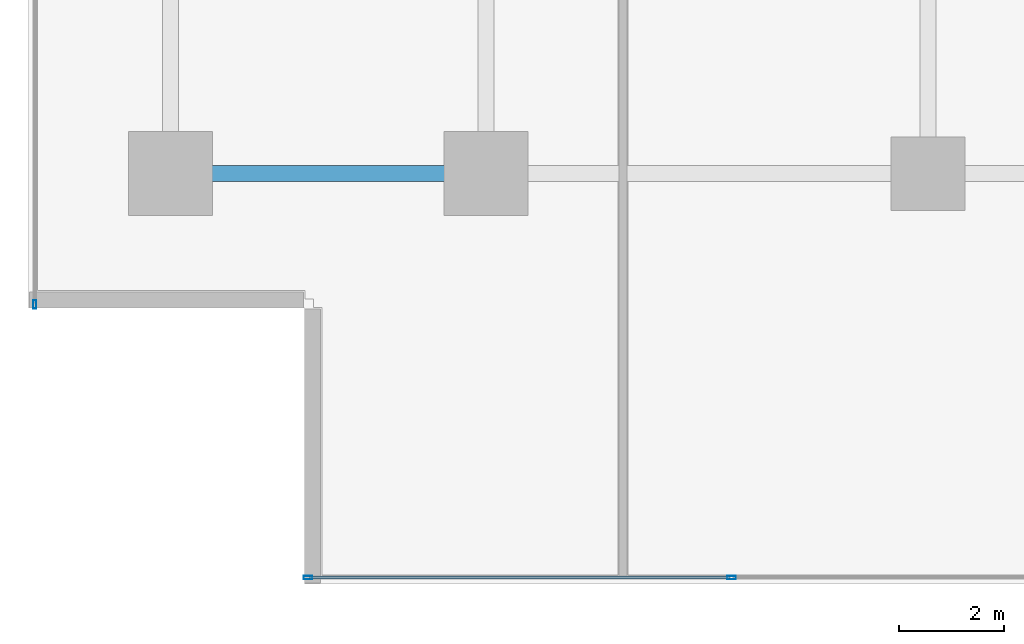
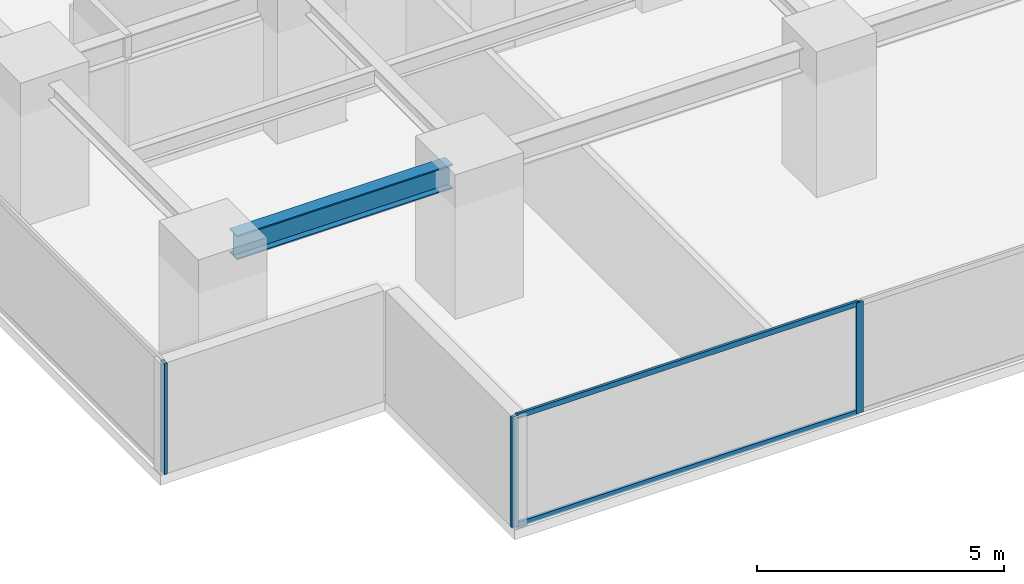
# One storey, part 2 of 37: 5 members, 1 beam, 2 elements without a shape of their own.
"""IFC4 building model written with IfcOpenShell, lengths in metres."""

from ifc_helpers import new_model, si_unit, direction, frame, origin, origin_2d, place, context, subcontext, project, spatial, hollow_rectangle, i_section, extrude, source, transform, mapped, material, layer, layer_set, material_profile, profile_set, type_object, element, aggregate, save


model = new_model("IFC4")

# Units and contexts
model_context = context("Model", 3, precision=1e-05, world=origin(), true_north=direction((0.0, 1.0)))
body_context = subcontext(model_context, "Body", "Model", "MODEL_VIEW")
ifc_project = project(units=[si_unit("LENGTHUNIT", "METRE"), si_unit("AREAUNIT", "SQUARE_METRE"), si_unit("VOLUMEUNIT", "CUBIC_METRE"), si_unit("PLANEANGLEUNIT", "RADIAN"), si_unit("MASSUNIT", "GRAM", prefix="KILO")], contexts=[model_context])

# Site, building, storey
site_placement = place(None, origin())
site = spatial("IfcSite", under=ifc_project, at=site_placement, CompositionType="ELEMENT")
building_placement = place(site_placement, origin())
building = spatial("IfcBuilding", under=site, at=building_placement, Name="Sumidabori Civic Tower", CompositionType="ELEMENT")
storey_placement = place(building_placement, frame((0.0, 0.0, 95.60009765625)))
storey = spatial("IfcBuildingStorey", under=building, at=storey_placement, Name="L24", CompositionType="ELEMENT", Elevation=95.60009765625)

# Beam
ifc_material_1 = material(Name="Steel SN490", Category="steel")
ifc_material_profile_1 = material_profile(ifc_material_1, i_section(OverallWidth=0.300048828125, OverallDepth=0.60009765625, WebThickness=0.015380859375, FlangeThickness=0.030029296875, at=origin_2d()), Name="HE 600 B")
ifc_profile_set_1 = profile_set([ifc_material_profile_1], Name="Steel SN490")
beam_type = type_object("IfcBeamType", Name="BM-GIRD-600", PredefinedType="BEAM", material=ifc_profile_set_1)
shared_shape_1 = source(origin(), body_context, "Body", "SweptSolid", [
    extrude(i_section(OverallWidth=0.300048828125, OverallDepth=0.60009765625, WebThickness=0.015380859375, FlangeThickness=0.030029296875, at=origin_2d()), origin(), (0.0, 0.0, 1.0), 5.0400390625),
])
beam_placement = place(storey_placement, frame((-22.320068359375, -18.0, 3.059814453125), z_axis=(1.0, 0.0, 0.0), x_axis=(0.0, 1.0, 0.0)))
element("IfcBeam", 1, at=beam_placement, inside=storey, type_object=beam_type, Name="Primary Girder L24 GX-01", PredefinedType="BEAM", context=body_context, shape_type="MappedRepresentation", body=[
    mapped(shared_shape_1, transform((0.0, 0.0, 0.0), x_axis=(1.0, 0.0, 0.0), y_axis=(0.0, 1.0, 0.0), z_axis=(0.0, 0.0, 1.0), scale=1.0)),
])

# Curtain wall, members
ifc_material_2 = material(Name="Anodised Bronze Aluminium AW-6063-T6", Category="aluminium")
ifc_layer = layer(ifc_material_2, 0.179931640625, Name="Anodised Bronze Aluminium AW-6063-T6")
ifc_layer_set = layer_set([ifc_layer], Name="Anodised Bronze Aluminium AW-6063-T6")
curtain_wall_type = type_object("IfcCurtainWallType", Name="CW-SYS-3", PredefinedType="NOTDEFINED", material=ifc_layer_set)
curtain_wall_1_placement = place(storey_placement, origin())
curtain_wall_1 = element("IfcCurtainWall", 2, at=curtain_wall_1_placement, inside=storey, type_object=curtain_wall_type, Name="Curtain Wall CW:L24:R01", PredefinedType="NOTDEFINED")
ifc_material_profile_2 = material_profile(ifc_material_2, hollow_rectangle(XDim=0.06494140625, YDim=0.159912109375, WallThickness=0.0048828125, at=origin_2d()), Name="ALU MULLION 160x65")
ifc_profile_set_2 = profile_set([ifc_material_profile_2], Name="Anodised Bronze Aluminium AW-6063-T6")
member_type_1 = type_object("IfcMemberType", Name="CW-MUL-160", PredefinedType="MULLION", material=ifc_profile_set_2)
shared_shape_2 = source(origin(), body_context, "Body", "SweptSolid", [
    extrude(hollow_rectangle(XDim=0.06494140625, YDim=0.159912109375, WallThickness=0.0048828125, at=origin_2d()), origin(), (0.0, 0.0, 1.0), 2.739990234375),
])
member_1_placement = place(storey_placement, frame((-20.1875, -25.679931640625, 0.0), z_axis=(0.0, 0.0, 1.0), x_axis=(0.0, 1.0, 0.0)))
member_1 = element("IfcMember", 3, at=member_1_placement, type_object=member_type_1, Name="CW-3 mullion 1", PredefinedType="MULLION", context=body_context, shape_type="MappedRepresentation", body=[
    mapped(shared_shape_2, transform((0.0, 0.0, 0.0), x_axis=(1.0, 0.0, 0.0), y_axis=(0.0, 1.0, 0.0), z_axis=(0.0, 0.0, 1.0), scale=1.0)),
])
member_2_placement = place(storey_placement, frame((-12.132080078125, -25.679931640625, 0.0), z_axis=(0.0, 0.0, 1.0), x_axis=(0.0, 1.0, 0.0)))
member_2 = element("IfcMember", 4, at=member_2_placement, type_object=member_type_1, Name="CW-3 mullion 2", PredefinedType="MULLION", context=body_context, shape_type="MappedRepresentation", body=[
    mapped(shared_shape_2, transform((0.0, 0.0, 0.0), x_axis=(1.0, 0.0, 0.0), y_axis=(0.0, 1.0, 0.0), z_axis=(0.0, 0.0, 1.0), scale=1.0)),
])

# Curtain wall, member
curtain_wall_2_placement = place(storey_placement, origin())
curtain_wall_2 = element("IfcCurtainWall", 5, at=curtain_wall_2_placement, inside=storey, type_object=curtain_wall_type, Name="Curtain Wall CW:L24:R10", PredefinedType="NOTDEFINED")
member_3_placement = place(storey_placement, frame((-25.3798828125, -20.487548828125, 0.0), z_axis=(0.0, 0.0, 1.0), x_axis=(1.0, 0.0, 0.0)))
member_3 = element("IfcMember", 6, at=member_3_placement, type_object=member_type_1, Name="CW-3 mullion 6", PredefinedType="MULLION", context=body_context, shape_type="MappedRepresentation", body=[
    mapped(shared_shape_2, transform((0.0, 0.0, 0.0), x_axis=(1.0, 0.0, 0.0), y_axis=(0.0, 1.0, 0.0), z_axis=(0.0, 0.0, 1.0), scale=1.0)),
])
aggregate(curtain_wall_2, [member_3])

# Member
ifc_material_profile_3 = material_profile(ifc_material_2, hollow_rectangle(XDim=0.06005859375, YDim=0.1298828125, WallThickness=0.0048828125, at=origin_2d()), Name="ALU TRANSOM 130x60")
ifc_profile_set_3 = profile_set([ifc_material_profile_3], Name="Anodised Bronze Aluminium AW-6063-T6")
member_type_2 = type_object("IfcMemberType", Name="CW-TRN-130", PredefinedType="USERDEFINED", material=ifc_profile_set_3)
shared_shape_3 = source(origin(), body_context, "Body", "SweptSolid", [
    extrude(hollow_rectangle(XDim=0.06005859375, YDim=0.1298828125, WallThickness=0.0048828125, at=origin_2d()), origin(), (0.0, 0.0, 1.0), 7.990478515625),
])
member_4_placement = place(storey_placement, frame((-20.155029296875, -25.679931640625, 0.02978515625), z_axis=(1.0, 0.0, 0.0), x_axis=(0.0, 1.0, 0.0)))
member_4 = element("IfcMember", 7, at=member_4_placement, type_object=member_type_2, Name="CW-3 transom 1.1", ObjectType="TRANSOM", PredefinedType="USERDEFINED", context=body_context, shape_type="MappedRepresentation", body=[
    mapped(shared_shape_3, transform((0.0, 0.0, 0.0), x_axis=(1.0, 0.0, 0.0), y_axis=(0.0, 1.0, 0.0), z_axis=(0.0, 0.0, 1.0), scale=1.0)),
])

member_5_placement = place(storey_placement, frame((-20.155029296875, -25.679931640625, 2.7099609375), z_axis=(1.0, 0.0, 0.0), x_axis=(0.0, 1.0, 0.0)))
member_5 = element("IfcMember", 8, at=member_5_placement, type_object=member_type_2, Name="CW-3 transom 1.2", ObjectType="TRANSOM", PredefinedType="USERDEFINED", context=body_context, shape_type="MappedRepresentation", body=[
    mapped(shared_shape_3, transform((0.0, 0.0, 0.0), x_axis=(1.0, 0.0, 0.0), y_axis=(0.0, 1.0, 0.0), z_axis=(0.0, 0.0, 1.0), scale=1.0)),
])

aggregate(curtain_wall_1, [member_1, member_2, member_4, member_5])

save(model, "model.ifc")
